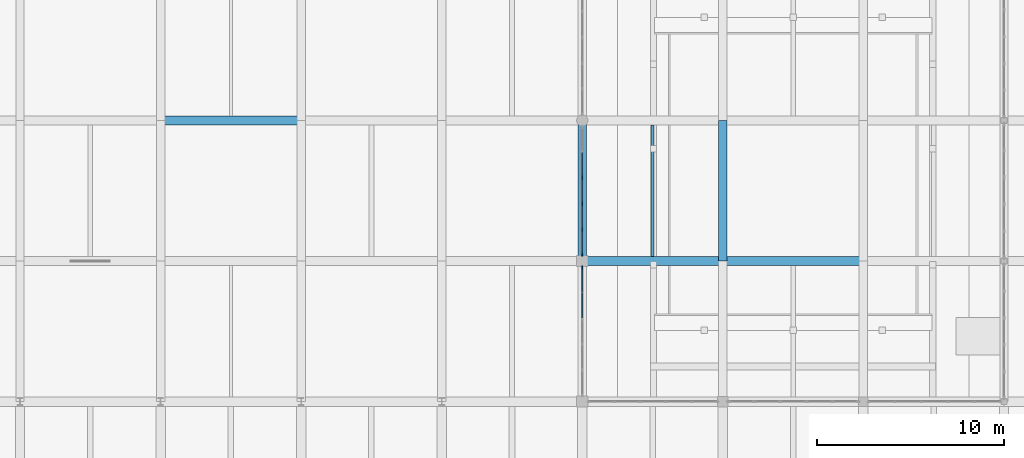
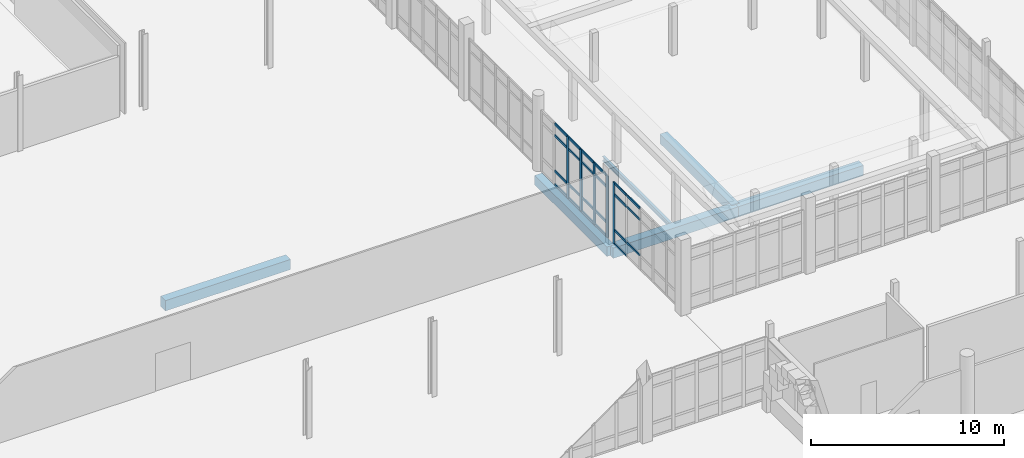
# One storey, part 36 of 125: 28 members, 6 beams, 2 elements without a shape of their own.
"""IFC4 building model written with IfcOpenShell, lengths in metres."""

from ifc_helpers import new_model, si_unit, direction, frame, origin, origin_2d, place, context, subcontext, project, spatial, rectangle, i_section, extrude, material, layer, layer_set, material_profile, profile_set, type_object, element, aggregate, save


model = new_model("IFC4")

# Units and contexts
model_context = context("Model", 3, precision=1e-05, world=origin(), true_north=direction((0.0, 1.0)))
body_context = subcontext(model_context, "Body", "Model", "MODEL_VIEW")
ifc_project = project(units=[si_unit("LENGTHUNIT", "METRE"), si_unit("AREAUNIT", "SQUARE_METRE"), si_unit("VOLUMEUNIT", "CUBIC_METRE"), si_unit("PLANEANGLEUNIT", "RADIAN"), si_unit("MASSUNIT", "GRAM", prefix="KILO")], contexts=[model_context])

# Site, building, storey
site_placement = place(None, origin())
site = spatial("IfcSite", under=ifc_project, at=site_placement, CompositionType="ELEMENT")
building_placement = place(site_placement, origin())
building = spatial("IfcBuilding", under=site, at=building_placement, Name="Dalvernix Boulevard General Hospital", CompositionType="ELEMENT")
storey_placement = place(building_placement, origin())
storey = spatial("IfcBuildingStorey", under=building, at=storey_placement, Name="L00", CompositionType="ELEMENT", Elevation=0.0)

# Beams
ifc_material_1 = material(Name="Concrete C35/45", Category="concrete")
ifc_material_profile_1 = material_profile(ifc_material_1, rectangle(XDim=0.5, YDim=0.64990234375, at=origin_2d()), Name="RCB 500x650")
ifc_profile_set_1 = profile_set([ifc_material_profile_1], Name="Concrete C35/45")
beam_type_1 = type_object("IfcBeamType", Name="BM-B-02-I", PredefinedType="BEAM", material=ifc_profile_set_1)
for number, where, z_axis, x_axis, name in (
    (1, (112.5, 39.0, -0.68505859375), (1.0, 0.0, 0.0), (0.0, 1.0, 0.0), "L00 E-W girder F:16-17"),
    (2, (120.0, 39.0, -0.68505859375), (1.0, 0.0, 0.0), (0.0, 1.0, 0.0), "L00 E-W girder F:17-18"),
    (3, (90.0, 46.5, -0.68505859375), (1.0, 0.0, 0.0), (0.0, 1.0, 0.0), "L00 E-W girder G:13-14"),
):
    element("IfcBeam", number, at=place(storey_placement, frame(where, z_axis=z_axis, x_axis=x_axis)), inside=storey, type_object=beam_type_1, Name=name, PredefinedType="BEAM", context=body_context, shape_type="SweptSolid", body=[
        extrude(rectangle(XDim=0.5, YDim=0.64990234375, at=origin_2d()), origin(), (0.0, 0.0, 1.0), 7.5),
    ])
ifc_material_profile_2 = material_profile(ifc_material_1, rectangle(XDim=0.449951171875, YDim=0.60009765625, at=origin_2d()), Name="RCB 450x600")
ifc_profile_set_2 = profile_set([ifc_material_profile_2], Name="Concrete C35/45")
beam_type_2 = type_object("IfcBeamType", Name="BM-B-04-I", PredefinedType="BEAM", material=ifc_profile_set_2)
for number, where, z_axis, x_axis, name in (
    (4, (112.5, 39.0, -0.659912109375), (0.0, 1.0, 0.0), (-1.0, 0.0, 0.0), "L00 N-S girder 16:F-G"),
    (5, (120.0, 39.0, -0.659912109375), (0.0, 1.0, 0.0), (-1.0, 0.0, 0.0), "L00 N-S girder 17:F-G"),
):
    element("IfcBeam", number, at=place(storey_placement, frame(where, z_axis=z_axis, x_axis=x_axis)), inside=storey, type_object=beam_type_2, Name=name, PredefinedType="BEAM", context=body_context, shape_type="SweptSolid", body=[
        extrude(rectangle(XDim=0.449951171875, YDim=0.60009765625, at=origin_2d()), origin(), (0.0, 0.0, 1.0), 7.5),
    ])
ifc_material_2 = material(Name="Steel S355", Category="steel")
ifc_material_profile_3 = material_profile(ifc_material_2, i_section(OverallWidth=0.14990234375, OverallDepth=0.300048828125, WebThickness=0.007080078125, FlangeThickness=0.0107421875, FilletRadius=0.014892578125, at=origin_2d()), Name="IPE 300")
ifc_profile_set_3 = profile_set([ifc_material_profile_3], Name="Steel S355")
beam_type_3 = type_object("IfcBeamType", Name="BM-JB-03", PredefinedType="JOIST", material=ifc_profile_set_3)
beam_placement = place(storey_placement, frame((116.25, 39.25, -0.510009765625), z_axis=(0.0, 1.0, 0.0), x_axis=(-1.0, 0.0, 0.0)))
element("IfcBeam", 6, at=beam_placement, inside=storey, type_object=beam_type_3, Name="L00 secondary floor beam 16-F", PredefinedType="JOIST", context=body_context, shape_type="SweptSolid", body=[
    extrude(i_section(OverallWidth=0.14990234375, OverallDepth=0.300048828125, WebThickness=0.007080078125, FlangeThickness=0.0107421875, FilletRadius=0.014892578125, at=origin_2d()), origin(), (0.0, 0.0, 1.0), 7.0),
])

# Curtain wall, member
ifc_material_3 = material(Name="Thermally broken aluminium and solar-control glass curtain wall", Category="aluminium")
ifc_layer_1 = layer(ifc_material_3, 0.179931640625)
ifc_layer_set_1 = layer_set([ifc_layer_1], Name="Thermally broken aluminium and solar-control glass curtain wall (CW-CW-B-69x39)")
curtain_wall_type_1 = type_object("IfcCurtainWallType", Name="CW-CW-B-69x39", PredefinedType="USERDEFINED", material=ifc_layer_set_1)
curtain_wall_1_placement = place(storey_placement, origin())
curtain_wall_1 = element("IfcCurtainWall", 7, at=curtain_wall_1_placement, inside=storey, type_object=curtain_wall_type_1, Name="L00 curtain wall CW-B-69x39 15-4", ObjectType="GLAZED FACADE", PredefinedType="USERDEFINED")
ifc_material_4 = material(Name="Aluminium EN AW-6060", Category="aluminium")
ifc_material_profile_4 = material_profile(ifc_material_4, rectangle(XDim=0.06494140625, YDim=0.179931640625, at=origin_2d()), Name="ALU MULL 65x180")
ifc_profile_set_4 = profile_set([ifc_material_profile_4], Name="Aluminium EN AW-6060")
member_type_1 = type_object("IfcMemberType", Name="MEM-CW-M2", PredefinedType="MULLION", material=ifc_profile_set_4)
member_1_placement = place(storey_placement, frame((112.5, 38.657470703125, 0.0), z_axis=(0.0, 0.0, 1.0), x_axis=(1.0, 0.0, 0.0)))
member_1 = element("IfcMember", 8, at=member_1_placement, type_object=member_type_1, Name="CW-B-69x39 mullion 1", PredefinedType="MULLION", context=body_context, shape_type="SweptSolid", body=[
    extrude(rectangle(XDim=0.06494140625, YDim=0.179931640625, at=origin_2d()), origin(), (0.0, 0.0, 1.0), 3.89990234375),
])

# Curtain wall, members
ifc_layer_2 = layer(ifc_material_3, 0.199951171875)
ifc_layer_set_2 = layer_set([ifc_layer_2], Name="Thermally broken aluminium and solar-control glass curtain wall (CW-CW-C-69x39)")
curtain_wall_type_2 = type_object("IfcCurtainWallType", Name="CW-CW-C-69x39", PredefinedType="USERDEFINED", material=ifc_layer_set_2)
curtain_wall_2_placement = place(storey_placement, origin())
curtain_wall_2 = element("IfcCurtainWall", 9, at=curtain_wall_2_placement, inside=storey, type_object=curtain_wall_type_2, Name="L00 curtain wall CW-C-69x39 15-5", ObjectType="GLAZED FACADE", PredefinedType="USERDEFINED")
ifc_material_profile_5 = material_profile(ifc_material_4, rectangle(XDim=0.070068359375, YDim=0.199951171875, at=origin_2d()), Name="ALU MULL 70x200")
ifc_profile_set_5 = profile_set([ifc_material_profile_5], Name="Aluminium EN AW-6060")
member_type_2 = type_object("IfcMemberType", Name="MEM-CW-M3", PredefinedType="MULLION", material=ifc_profile_set_5)
member_2_placement = place(storey_placement, frame((112.5, 43.43798828125, 0.0), z_axis=(0.0, 0.0, 1.0), x_axis=(1.0, 0.0, 0.0)))
member_2 = element("IfcMember", 10, at=member_2_placement, type_object=member_type_2, Name="CW-C-69x39 mullion 3", PredefinedType="MULLION", context=body_context, shape_type="SweptSolid", body=[
    extrude(rectangle(XDim=0.070068359375, YDim=0.199951171875, at=origin_2d()), origin(), (0.0, 0.0, 1.0), 3.89990234375),
])
member_3_placement = place(storey_placement, frame((112.5, 42.06201171875, 0.0), z_axis=(0.0, 0.0, 1.0), x_axis=(1.0, 0.0, 0.0)))
member_3 = element("IfcMember", 11, at=member_3_placement, type_object=member_type_2, Name="CW-C-69x39 mullion 4", PredefinedType="MULLION", context=body_context, shape_type="SweptSolid", body=[
    extrude(rectangle(XDim=0.070068359375, YDim=0.199951171875, at=origin_2d()), origin(), (0.0, 0.0, 1.0), 3.89990234375),
])
member_4_placement = place(storey_placement, frame((112.5, 40.68603515625, 0.0), z_axis=(0.0, 0.0, 1.0), x_axis=(1.0, 0.0, 0.0)))
member_4 = element("IfcMember", 12, at=member_4_placement, type_object=member_type_2, Name="CW-C-69x39 mullion 5", PredefinedType="MULLION", context=body_context, shape_type="SweptSolid", body=[
    extrude(rectangle(XDim=0.070068359375, YDim=0.199951171875, at=origin_2d()), origin(), (0.0, 0.0, 1.0), 3.89990234375),
])
member_5_placement = place(storey_placement, frame((112.5, 39.344970703125, 0.0), z_axis=(0.0, 0.0, 1.0), x_axis=(1.0, 0.0, 0.0)))
member_5 = element("IfcMember", 13, at=member_5_placement, type_object=member_type_2, Name="CW-C-69x39 mullion 6", PredefinedType="MULLION", context=body_context, shape_type="SweptSolid", body=[
    extrude(rectangle(XDim=0.070068359375, YDim=0.199951171875, at=origin_2d()), origin(), (0.0, 0.0, 1.0), 3.89990234375),
])

# Member
ifc_material_profile_6 = material_profile(ifc_material_4, rectangle(XDim=0.06494140625, YDim=0.139892578125, at=origin_2d()), Name="ALU TRAN 65x140")
ifc_profile_set_6 = profile_set([ifc_material_profile_6], Name="Aluminium EN AW-6060")
member_type_3 = type_object("IfcMemberType", Name="MEM-CW-T2", PredefinedType="USERDEFINED", material=ifc_profile_set_6)
member_6_placement = place(storey_placement, frame((112.5, 38.625, 0.032470703125), z_axis=(0.0, -1.0, 0.0), x_axis=(1.0, 0.0, 0.0)))
member_6 = element("IfcMember", 14, at=member_6_placement, type_object=member_type_3, Name="CW-B-69x39 transom 1.1", ObjectType="TRANSOM", PredefinedType="USERDEFINED", context=body_context, shape_type="SweptSolid", body=[
    extrude(rectangle(XDim=0.06494140625, YDim=0.139892578125, at=origin_2d()), origin(), (0.0, 0.0, 1.0), 1.278564453125),
])

member_7_placement = place(storey_placement, frame((112.5, 38.625, 0.89990234375), z_axis=(0.0, -1.0, 0.0), x_axis=(1.0, 0.0, 0.0)))
member_7 = element("IfcMember", 15, at=member_7_placement, type_object=member_type_3, Name="CW-B-69x39 transom 1.2", ObjectType="TRANSOM", PredefinedType="USERDEFINED", context=body_context, shape_type="SweptSolid", body=[
    extrude(rectangle(XDim=0.06494140625, YDim=0.139892578125, at=origin_2d()), origin(), (0.0, 0.0, 1.0), 1.278564453125),
])

member_8_placement = place(storey_placement, frame((112.5, 38.625, 3.14990234375), z_axis=(0.0, -1.0, 0.0), x_axis=(1.0, 0.0, 0.0)))
member_8 = element("IfcMember", 16, at=member_8_placement, type_object=member_type_3, Name="CW-B-69x39 transom 1.3", ObjectType="TRANSOM", PredefinedType="USERDEFINED", context=body_context, shape_type="SweptSolid", body=[
    extrude(rectangle(XDim=0.06494140625, YDim=0.139892578125, at=origin_2d()), origin(), (0.0, 0.0, 1.0), 1.278564453125),
])

member_9_placement = place(storey_placement, frame((112.5, 38.625, 3.867431640625), z_axis=(0.0, -1.0, 0.0), x_axis=(1.0, 0.0, 0.0)))
member_9 = element("IfcMember", 17, at=member_9_placement, type_object=member_type_3, Name="CW-B-69x39 transom 1.4", ObjectType="TRANSOM", PredefinedType="USERDEFINED", context=body_context, shape_type="SweptSolid", body=[
    extrude(rectangle(XDim=0.06494140625, YDim=0.139892578125, at=origin_2d()), origin(), (0.0, 0.0, 1.0), 1.278564453125),
])

member_10_placement = place(storey_placement, frame((112.5, 37.281494140625, 0.89990234375), z_axis=(0.0, -1.0, 0.0), x_axis=(1.0, 0.0, 0.0)))
member_10 = element("IfcMember", 18, at=member_10_placement, type_object=member_type_3, Name="CW-B-69x39 transom 2.2", ObjectType="TRANSOM", PredefinedType="USERDEFINED", context=body_context, shape_type="SweptSolid", body=[
    extrude(rectangle(XDim=0.06494140625, YDim=0.139892578125, at=origin_2d()), origin(), (0.0, 0.0, 1.0), 1.31103515625),
])

member_11_placement = place(storey_placement, frame((112.5, 37.281494140625, 3.14990234375), z_axis=(0.0, -1.0, 0.0), x_axis=(1.0, 0.0, 0.0)))
member_11 = element("IfcMember", 19, at=member_11_placement, type_object=member_type_3, Name="CW-B-69x39 transom 2.3", ObjectType="TRANSOM", PredefinedType="USERDEFINED", context=body_context, shape_type="SweptSolid", body=[
    extrude(rectangle(XDim=0.06494140625, YDim=0.139892578125, at=origin_2d()), origin(), (0.0, 0.0, 1.0), 1.31103515625),
])

member_12_placement = place(storey_placement, frame((112.5, 37.281494140625, 3.867431640625), z_axis=(0.0, -1.0, 0.0), x_axis=(1.0, 0.0, 0.0)))
member_12 = element("IfcMember", 20, at=member_12_placement, type_object=member_type_3, Name="CW-B-69x39 transom 2.4", ObjectType="TRANSOM", PredefinedType="USERDEFINED", context=body_context, shape_type="SweptSolid", body=[
    extrude(rectangle(XDim=0.06494140625, YDim=0.139892578125, at=origin_2d()), origin(), (0.0, 0.0, 1.0), 1.31103515625),
])

aggregate(curtain_wall_1, [member_1, member_6, member_7, member_8, member_9, member_10, member_11, member_12])

ifc_material_profile_7 = material_profile(ifc_material_4, rectangle(XDim=0.070068359375, YDim=0.14990234375, at=origin_2d()), Name="ALU TRAN 70x150")
ifc_profile_set_7 = profile_set([ifc_material_profile_7], Name="Aluminium EN AW-6060")
member_type_4 = type_object("IfcMemberType", Name="MEM-CW-T3", PredefinedType="USERDEFINED", material=ifc_profile_set_7)
member_13_placement = place(storey_placement, frame((112.5, 44.779052734375, 0.034912109375), z_axis=(0.0, -1.0, 0.0), x_axis=(1.0, 0.0, 0.0)))
member_13 = element("IfcMember", 21, at=member_13_placement, type_object=member_type_4, Name="CW-C-69x39 transom 2.1", ObjectType="TRANSOM", PredefinedType="USERDEFINED", context=body_context, shape_type="SweptSolid", body=[
    extrude(rectangle(XDim=0.070068359375, YDim=0.14990234375, at=origin_2d()), origin(), (0.0, 0.0, 1.0), 1.30615234375),
])

member_14_placement = place(storey_placement, frame((112.5, 44.779052734375, 0.89990234375), z_axis=(0.0, -1.0, 0.0), x_axis=(1.0, 0.0, 0.0)))
member_14 = element("IfcMember", 22, at=member_14_placement, type_object=member_type_4, Name="CW-C-69x39 transom 2.2", ObjectType="TRANSOM", PredefinedType="USERDEFINED", context=body_context, shape_type="SweptSolid", body=[
    extrude(rectangle(XDim=0.070068359375, YDim=0.14990234375, at=origin_2d()), origin(), (0.0, 0.0, 1.0), 1.30615234375),
])

member_15_placement = place(storey_placement, frame((112.5, 44.779052734375, 3.14990234375), z_axis=(0.0, -1.0, 0.0), x_axis=(1.0, 0.0, 0.0)))
member_15 = element("IfcMember", 23, at=member_15_placement, type_object=member_type_4, Name="CW-C-69x39 transom 2.3", ObjectType="TRANSOM", PredefinedType="USERDEFINED", context=body_context, shape_type="SweptSolid", body=[
    extrude(rectangle(XDim=0.070068359375, YDim=0.14990234375, at=origin_2d()), origin(), (0.0, 0.0, 1.0), 1.30615234375),
])

member_16_placement = place(storey_placement, frame((112.5, 44.779052734375, 3.864990234375), z_axis=(0.0, -1.0, 0.0), x_axis=(1.0, 0.0, 0.0)))
member_16 = element("IfcMember", 24, at=member_16_placement, type_object=member_type_4, Name="CW-C-69x39 transom 2.4", ObjectType="TRANSOM", PredefinedType="USERDEFINED", context=body_context, shape_type="SweptSolid", body=[
    extrude(rectangle(XDim=0.070068359375, YDim=0.14990234375, at=origin_2d()), origin(), (0.0, 0.0, 1.0), 1.30615234375),
])

member_17_placement = place(storey_placement, frame((112.5, 43.403076171875, 0.034912109375), z_axis=(0.0, -1.0, 0.0), x_axis=(1.0, 0.0, 0.0)))
member_17 = element("IfcMember", 25, at=member_17_placement, type_object=member_type_4, Name="CW-C-69x39 transom 3.1", ObjectType="TRANSOM", PredefinedType="USERDEFINED", context=body_context, shape_type="SweptSolid", body=[
    extrude(rectangle(XDim=0.070068359375, YDim=0.14990234375, at=origin_2d()), origin(), (0.0, 0.0, 1.0), 1.30615234375),
])

member_18_placement = place(storey_placement, frame((112.5, 43.403076171875, 0.89990234375), z_axis=(0.0, -1.0, 0.0), x_axis=(1.0, 0.0, 0.0)))
member_18 = element("IfcMember", 26, at=member_18_placement, type_object=member_type_4, Name="CW-C-69x39 transom 3.2", ObjectType="TRANSOM", PredefinedType="USERDEFINED", context=body_context, shape_type="SweptSolid", body=[
    extrude(rectangle(XDim=0.070068359375, YDim=0.14990234375, at=origin_2d()), origin(), (0.0, 0.0, 1.0), 1.30615234375),
])

member_19_placement = place(storey_placement, frame((112.5, 43.403076171875, 3.14990234375), z_axis=(0.0, -1.0, 0.0), x_axis=(1.0, 0.0, 0.0)))
member_19 = element("IfcMember", 27, at=member_19_placement, type_object=member_type_4, Name="CW-C-69x39 transom 3.3", ObjectType="TRANSOM", PredefinedType="USERDEFINED", context=body_context, shape_type="SweptSolid", body=[
    extrude(rectangle(XDim=0.070068359375, YDim=0.14990234375, at=origin_2d()), origin(), (0.0, 0.0, 1.0), 1.30615234375),
])

member_20_placement = place(storey_placement, frame((112.5, 43.403076171875, 3.864990234375), z_axis=(0.0, -1.0, 0.0), x_axis=(1.0, 0.0, 0.0)))
member_20 = element("IfcMember", 28, at=member_20_placement, type_object=member_type_4, Name="CW-C-69x39 transom 3.4", ObjectType="TRANSOM", PredefinedType="USERDEFINED", context=body_context, shape_type="SweptSolid", body=[
    extrude(rectangle(XDim=0.070068359375, YDim=0.14990234375, at=origin_2d()), origin(), (0.0, 0.0, 1.0), 1.30615234375),
])

member_21_placement = place(storey_placement, frame((112.5, 42.027099609375, 0.034912109375), z_axis=(0.0, -1.0, 0.0), x_axis=(1.0, 0.0, 0.0)))
member_21 = element("IfcMember", 29, at=member_21_placement, type_object=member_type_4, Name="CW-C-69x39 transom 4.1", ObjectType="TRANSOM", PredefinedType="USERDEFINED", context=body_context, shape_type="SweptSolid", body=[
    extrude(rectangle(XDim=0.070068359375, YDim=0.14990234375, at=origin_2d()), origin(), (0.0, 0.0, 1.0), 1.30615234375),
])

member_22_placement = place(storey_placement, frame((112.5, 42.027099609375, 0.89990234375), z_axis=(0.0, -1.0, 0.0), x_axis=(1.0, 0.0, 0.0)))
member_22 = element("IfcMember", 30, at=member_22_placement, type_object=member_type_4, Name="CW-C-69x39 transom 4.2", ObjectType="TRANSOM", PredefinedType="USERDEFINED", context=body_context, shape_type="SweptSolid", body=[
    extrude(rectangle(XDim=0.070068359375, YDim=0.14990234375, at=origin_2d()), origin(), (0.0, 0.0, 1.0), 1.30615234375),
])

member_23_placement = place(storey_placement, frame((112.5, 42.027099609375, 3.14990234375), z_axis=(0.0, -1.0, 0.0), x_axis=(1.0, 0.0, 0.0)))
member_23 = element("IfcMember", 31, at=member_23_placement, type_object=member_type_4, Name="CW-C-69x39 transom 4.3", ObjectType="TRANSOM", PredefinedType="USERDEFINED", context=body_context, shape_type="SweptSolid", body=[
    extrude(rectangle(XDim=0.070068359375, YDim=0.14990234375, at=origin_2d()), origin(), (0.0, 0.0, 1.0), 1.30615234375),
])

member_24_placement = place(storey_placement, frame((112.5, 42.027099609375, 3.864990234375), z_axis=(0.0, -1.0, 0.0), x_axis=(1.0, 0.0, 0.0)))
member_24 = element("IfcMember", 32, at=member_24_placement, type_object=member_type_4, Name="CW-C-69x39 transom 4.4", ObjectType="TRANSOM", PredefinedType="USERDEFINED", context=body_context, shape_type="SweptSolid", body=[
    extrude(rectangle(XDim=0.070068359375, YDim=0.14990234375, at=origin_2d()), origin(), (0.0, 0.0, 1.0), 1.30615234375),
])

member_25_placement = place(storey_placement, frame((112.5, 40.65087890625, 0.034912109375), z_axis=(0.0, -1.0, 0.0), x_axis=(1.0, 0.0, 0.0)))
member_25 = element("IfcMember", 33, at=member_25_placement, type_object=member_type_4, Name="CW-C-69x39 transom 5.1", ObjectType="TRANSOM", PredefinedType="USERDEFINED", context=body_context, shape_type="SweptSolid", body=[
    extrude(rectangle(XDim=0.070068359375, YDim=0.14990234375, at=origin_2d()), origin(), (0.0, 0.0, 1.0), 1.27099609375),
])

member_26_placement = place(storey_placement, frame((112.5, 40.65087890625, 0.89990234375), z_axis=(0.0, -1.0, 0.0), x_axis=(1.0, 0.0, 0.0)))
member_26 = element("IfcMember", 34, at=member_26_placement, type_object=member_type_4, Name="CW-C-69x39 transom 5.2", ObjectType="TRANSOM", PredefinedType="USERDEFINED", context=body_context, shape_type="SweptSolid", body=[
    extrude(rectangle(XDim=0.070068359375, YDim=0.14990234375, at=origin_2d()), origin(), (0.0, 0.0, 1.0), 1.27099609375),
])

member_27_placement = place(storey_placement, frame((112.5, 40.65087890625, 3.14990234375), z_axis=(0.0, -1.0, 0.0), x_axis=(1.0, 0.0, 0.0)))
member_27 = element("IfcMember", 35, at=member_27_placement, type_object=member_type_4, Name="CW-C-69x39 transom 5.3", ObjectType="TRANSOM", PredefinedType="USERDEFINED", context=body_context, shape_type="SweptSolid", body=[
    extrude(rectangle(XDim=0.070068359375, YDim=0.14990234375, at=origin_2d()), origin(), (0.0, 0.0, 1.0), 1.27099609375),
])

member_28_placement = place(storey_placement, frame((112.5, 40.65087890625, 3.864990234375), z_axis=(0.0, -1.0, 0.0), x_axis=(1.0, 0.0, 0.0)))
member_28 = element("IfcMember", 36, at=member_28_placement, type_object=member_type_4, Name="CW-C-69x39 transom 5.4", ObjectType="TRANSOM", PredefinedType="USERDEFINED", context=body_context, shape_type="SweptSolid", body=[
    extrude(rectangle(XDim=0.070068359375, YDim=0.14990234375, at=origin_2d()), origin(), (0.0, 0.0, 1.0), 1.27099609375),
])

aggregate(curtain_wall_2, [member_2, member_3, member_4, member_5, member_13, member_14, member_15, member_16, member_17, member_18, member_19, member_20, member_21, member_22, member_23, member_24, member_25, member_26, member_27, member_28])

save(model, "model.ifc")
